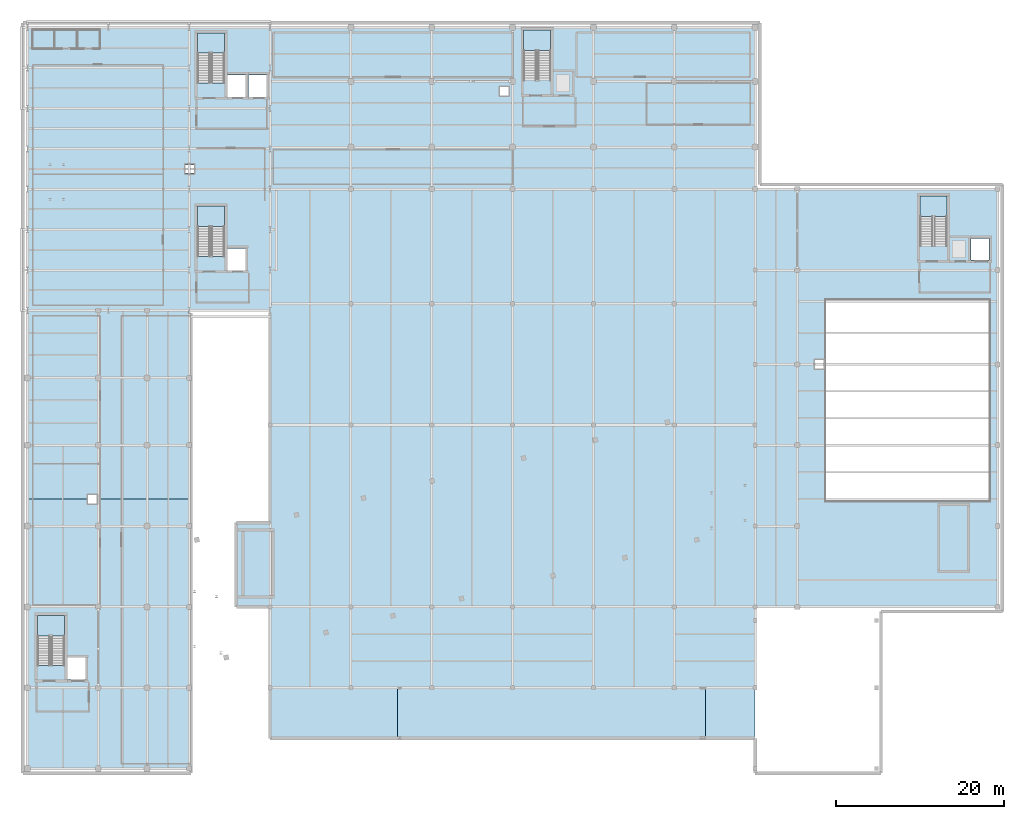
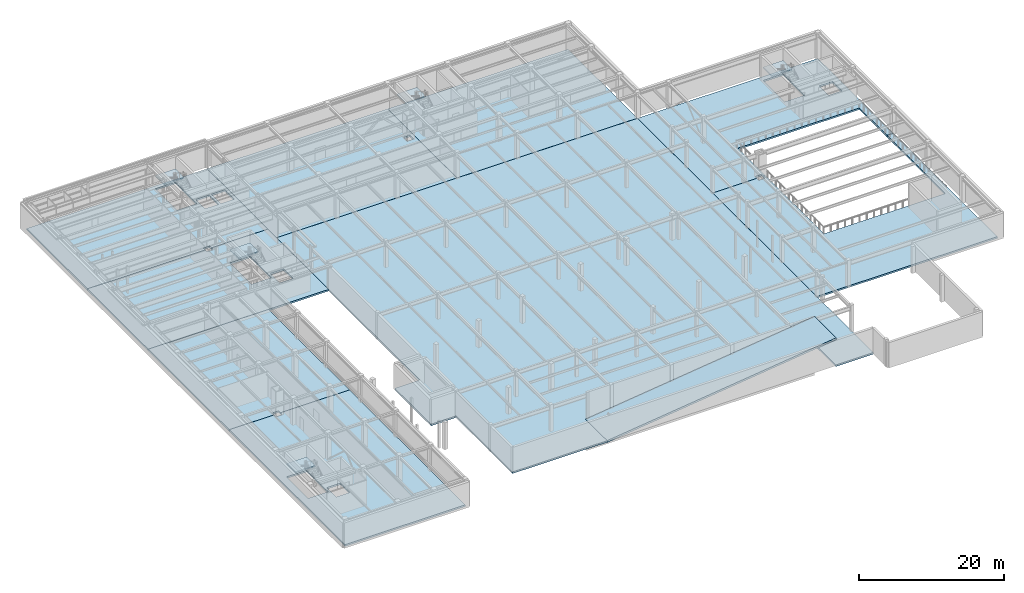
# One storey, part 15 of 32: 15 slabs, 5 elements without a shape of their own.
"""IFC4 building model written with IfcOpenShell, lengths in metres."""

from ifc_helpers import new_model, si_unit, direction, frame, origin, place, context, subcontext, project, spatial, polyline, outline, extrude, material, layer, layer_set, type_object, element, aggregate, save


model = new_model("IFC4")

# Units and contexts
model_context = context("Model", 3, precision=1e-05, world=origin(), true_north=direction((0.0, 1.0)))
body_context = subcontext(model_context, "Body", "Model", "MODEL_VIEW")
ifc_project = project(units=[si_unit("LENGTHUNIT", "METRE"), si_unit("AREAUNIT", "SQUARE_METRE"), si_unit("VOLUMEUNIT", "CUBIC_METRE"), si_unit("PLANEANGLEUNIT", "RADIAN"), si_unit("MASSUNIT", "GRAM", prefix="KILO")], contexts=[model_context])

# Site, building, storey
site_placement = place(None, origin())
site = spatial("IfcSite", under=ifc_project, at=site_placement, CompositionType="ELEMENT")
building_placement = place(site_placement, origin())
building = spatial("IfcBuilding", under=site, at=building_placement, Name="Nordkorset Police Headquarters", CompositionType="ELEMENT")
storey_placement = place(building_placement, frame((0.0, 0.0, -4.550048828125)))
storey = spatial("IfcBuildingStorey", under=building, at=storey_placement, Name="B01", CompositionType="ELEMENT", Elevation=-4.550048828125)

# Stair, slab
ifc_material_1 = material(Name="Concrete C35/45", Category="concrete")
stair_type = type_object("IfcStairType", Name="ST-45", PredefinedType="HALF_TURN_STAIR", material=ifc_material_1)
stair_1_placement = place(storey_placement, origin())
stair_1 = element("IfcStair", 1, at=stair_1_placement, inside=storey, type_object=stair_type, Name="B01 Protected Escape Stair ST-01", PredefinedType="HALF_TURN_STAIR")
ifc_material_2 = material(Name="Concrete C35/45", Category="concrete")
ifc_layer_1 = layer(ifc_material_2, 0.199951171875, Name="Concrete C35/45")
ifc_layer_set_1 = layer_set([ifc_layer_1], Name="Concrete C35/45")
slab_type_1 = type_object("IfcSlabType", Name="Slab_StairLanding_200", PredefinedType="LANDING", material=ifc_layer_set_1)
slab_1_placement = place(storey_placement, frame((0.0, 0.0, 2.074951171875)))
slab_1 = element("IfcSlab", 2, at=slab_1_placement, type_object=slab_type_1, Name="ST-01 landing 1", PredefinedType="LANDING", context=body_context, shape_type="SweptSolid", body=[
    extrude(outline(polyline([(23.375, 113.764892578125), (23.375, 116.175048828125), (20.175048828125, 116.175048828125), (20.175048828125, 113.764892578125), (23.375, 113.764892578125)])), origin(), (0.0, 0.0, 1.0), 0.2001953125),
])
aggregate(stair_1, [slab_1])

stair_2_placement = place(storey_placement, origin())
stair_2 = element("IfcStair", 3, at=stair_2_placement, inside=storey, type_object=stair_type, Name="B01 Protected Escape Stair ST-03", PredefinedType="HALF_TURN_STAIR")
slab_2_placement = place(storey_placement, frame((0.0, 0.0, 2.074951171875)))
slab_2 = element("IfcSlab", 4, at=slab_2_placement, type_object=slab_type_1, Name="ST-03 landing 1", PredefinedType="LANDING", context=body_context, shape_type="SweptSolid", body=[
    extrude(outline(polyline([(23.375, 93.1650390625), (23.375, 95.574951171875), (20.175048828125, 95.574951171875), (20.175048828125, 93.1650390625), (23.375, 93.1650390625)])), origin(), (0.0, 0.0, 1.0), 0.2001953125),
])
aggregate(stair_2, [slab_2])

stair_3_placement = place(storey_placement, origin())
stair_3 = element("IfcStair", 5, at=stair_3_placement, inside=storey, type_object=stair_type, Name="B01 Protected Escape Stair ST-02", PredefinedType="HALF_TURN_STAIR")
slab_3_placement = place(storey_placement, frame((0.0, 0.0, 2.074951171875)))
slab_3 = element("IfcSlab", 6, at=slab_3_placement, type_object=slab_type_1, Name="ST-02 landing 1", PredefinedType="LANDING", context=body_context, shape_type="SweptSolid", body=[
    extrude(outline(polyline([(62.125, 114.06494140625), (62.125, 116.47509765625), (58.925048828125, 116.47509765625), (58.925048828125, 114.06494140625), (62.125, 114.06494140625)])), origin(), (0.0, 0.0, 1.0), 0.2001953125),
])
aggregate(stair_3, [slab_3])

stair_4_placement = place(storey_placement, origin())
stair_4 = element("IfcStair", 7, at=stair_4_placement, inside=storey, type_object=stair_type, Name="B01 Protected Escape Stair ST-04", PredefinedType="HALF_TURN_STAIR")
slab_4_placement = place(storey_placement, frame((0.0, 0.0, 2.074951171875)))
slab_4 = element("IfcSlab", 8, at=slab_4_placement, type_object=slab_type_1, Name="ST-04 landing 1", PredefinedType="LANDING", context=body_context, shape_type="SweptSolid", body=[
    extrude(outline(polyline([(4.375, 44.56494140625), (4.375, 46.97509765625), (1.175048828125, 46.97509765625), (1.175048828125, 44.56494140625), (4.375, 44.56494140625)])), origin(), (0.0, 0.0, 1.0), 0.2001953125),
])
aggregate(stair_4, [slab_4])

stair_5_placement = place(storey_placement, origin())
stair_5 = element("IfcStair", 9, at=stair_5_placement, inside=storey, type_object=stair_type, Name="B01 Protected Escape Stair ST-05", PredefinedType="HALF_TURN_STAIR")
slab_5_placement = place(storey_placement, frame((0.0, 0.0, 2.074951171875)))
slab_5 = element("IfcSlab", 10, at=slab_5_placement, type_object=slab_type_1, Name="ST-05 landing 1", PredefinedType="LANDING", context=body_context, shape_type="SweptSolid", body=[
    extrude(outline(polyline([(109.175048828125, 94.364990234375), (109.175048828125, 96.77490234375), (105.97509765625, 96.77490234375), (105.97509765625, 94.364990234375), (109.175048828125, 94.364990234375)])), origin(), (0.0, 0.0, 1.0), 0.2001953125),
])
aggregate(stair_5, [slab_5])

# Slabs
ifc_material_3 = material(Name="Concrete C35/45", Category="concrete")
ifc_layer_2 = layer(ifc_material_3, 0.280029296875, Name="Concrete C35/45")
ifc_layer_set_2 = layer_set([ifc_layer_2], Name="Concrete C35/45")
slab_type_2 = type_object("IfcSlabType", Name="Slab_SubFloor_280", PredefinedType="FLOOR", material=ifc_layer_set_2)
slab_6_placement = place(storey_placement, frame((0.0, 0.0, -0.280029296875)))
element("IfcSlab", 11, at=slab_6_placement, inside=storey, type_object=slab_type_2, Name="Composite Floor Slab V1 South B01", PredefinedType="FLOOR", context=body_context, shape_type="SweptSolid", body=[
    extrude(outline(polyline([(18.780029296875, 100.0), (18.780029296875, 99.5), (19.780029296875, 99.5), (19.780029296875, 100.0), (28.800048828125, 100.0), (28.800048828125, 83.199951171875), (0.0, 83.199951171875), (0.0, 100.0), (18.780029296875, 100.0)]), holes=[polyline([(20.175048828125, 95.574951171875), (20.175048828125, 89.6279296875), (23.375, 89.6279296875), (23.375, 95.574951171875), (20.175048828125, 95.574951171875)]), polyline([(25.875, 90.574951171875), (23.72509765625, 90.574951171875), (23.72509765625, 87.97509765625), (25.875, 87.97509765625), (25.875, 90.574951171875)])]), origin(), (0.0, 0.0, 1.0), 0.280029296875),
])
slab_7_placement = place(storey_placement, frame((0.0, 0.0, -0.280029296875)))
element("IfcSlab", 12, at=slab_7_placement, inside=storey, type_object=slab_type_2, Name="Composite Floor Slab V1 North B01", PredefinedType="FLOOR", context=body_context, shape_type="SweptSolid", body=[
    extrude(outline(polyline([(28.800048828125, 100.0048828125), (19.780029296875, 100.0048828125), (19.780029296875, 100.5), (18.780029296875, 100.5), (18.780029296875, 100.0048828125), (0.0, 100.0048828125), (0.0, 116.800048828125), (28.800048828125, 116.800048828125), (28.800048828125, 100.0048828125)]), holes=[polyline([(20.175048828125, 110.22802734375), (23.375, 110.22802734375), (23.375, 116.175048828125), (20.175048828125, 116.175048828125), (20.175048828125, 110.22802734375)]), polyline([(23.72509765625, 111.175048828125), (23.72509765625, 108.574951171875), (25.875, 108.574951171875), (25.875, 111.175048828125), (23.72509765625, 111.175048828125)]), polyline([(28.375, 111.175048828125), (26.22509765625, 111.175048828125), (26.22509765625, 108.574951171875), (28.375, 108.574951171875), (28.375, 111.175048828125)])]), origin(), (0.0, 0.0, 1.0), 0.280029296875),
])
slab_8_placement = place(storey_placement, frame((0.0, 0.0, -0.280029296875)))
element("IfcSlab", 13, at=slab_8_placement, inside=storey, type_object=slab_type_2, Name="Composite Floor Slab V2 West B01", PredefinedType="FLOOR", context=body_context, shape_type="SweptSolid", body=[
    extrude(outline(polyline([(28.802001953125, 116.800048828125), (57.60009765625, 116.800048828125), (57.60009765625, 97.60009765625), (28.802001953125, 97.60009765625), (28.802001953125, 116.800048828125)]), holes=[polyline([(57.10009765625, 109.75), (56.10009765625, 109.75), (56.10009765625, 108.75), (57.10009765625, 108.75), (57.10009765625, 109.75)])]), origin(), (0.0, 0.0, 1.0), 0.280029296875),
])
slab_9_placement = place(storey_placement, frame((0.0, 0.0, -0.280029296875)))
element("IfcSlab", 14, at=slab_9_placement, inside=storey, type_object=slab_type_2, Name="Composite Floor Slab V2 East B01", PredefinedType="FLOOR", context=body_context, shape_type="SweptSolid", body=[
    extrude(outline(polyline([(57.60205078125, 97.60009765625), (86.39990234375, 97.60009765625), (86.39990234375, 116.800048828125), (57.60205078125, 116.800048828125), (57.60205078125, 97.60009765625)])), origin(), (0.0, 0.0, 1.0), 0.280029296875),
])
slab_10_placement = place(storey_placement, frame((0.0, 0.0, -0.280029296875)))
element("IfcSlab", 15, at=slab_10_placement, inside=storey, type_object=slab_type_2, Name="Composite Floor Slab V3 South B01", PredefinedType="FLOOR", context=body_context, shape_type="SweptSolid", body=[
    extrude(outline(polyline([(7.199951171875, 60.800048828125), (7.199951171875, 60.300048828125), (8.199951171875, 60.300048828125), (8.199951171875, 60.800048828125), (19.199951171875, 60.800048828125), (19.199951171875, 28.800048828125), (0.0, 28.800048828125), (0.0, 60.800048828125), (7.199951171875, 60.800048828125)]), holes=[polyline([(1.175048828125, 46.97509765625), (1.175048828125, 41.028076171875), (4.375, 41.028076171875), (4.375, 46.97509765625), (1.175048828125, 46.97509765625)]), polyline([(6.875, 41.97509765625), (4.72509765625, 41.97509765625), (4.72509765625, 39.375), (6.875, 39.375), (6.875, 41.97509765625)])]), origin(), (0.0, 0.0, 1.0), 0.280029296875),
])
slab_11_placement = place(storey_placement, frame((0.0, 0.0, -0.280029296875)))
element("IfcSlab", 16, at=slab_11_placement, inside=storey, type_object=slab_type_2, Name="Composite Floor Slab V3 North B01", PredefinedType="FLOOR", context=body_context, shape_type="SweptSolid", body=[
    extrude(outline(polyline([(0.0, 60.802001953125), (7.199951171875, 60.802001953125), (7.199951171875, 61.300048828125), (8.199951171875, 61.300048828125), (8.199951171875, 60.802001953125), (19.199951171875, 60.802001953125), (19.199951171875, 83.197998046875), (0.0, 83.197998046875), (0.0, 60.802001953125)])), origin(), (0.0, 0.0, 1.0), 0.280029296875),
])
slab_12_placement = place(storey_placement, frame((0.0, 0.0, -0.280029296875)))
element("IfcSlab", 17, at=slab_12_placement, inside=storey, type_object=slab_type_2, Name="Composite Floor Slab V5 South B01", PredefinedType="FLOOR", context=body_context, shape_type="SweptSolid", body=[
    extrude(outline(polyline([(115.199951171875, 76.800048828125), (115.199951171875, 48.0), (86.405029296875, 48.0), (86.405029296875, 76.800048828125), (93.5, 76.800048828125), (93.5, 76.300048828125), (94.5, 76.300048828125), (94.5, 76.800048828125), (94.800048828125, 76.800048828125), (94.800048828125, 60.60009765625), (114.199951171875, 60.60009765625), (114.199951171875, 76.800048828125), (115.199951171875, 76.800048828125)])), origin(), (0.0, 0.0, 1.0), 0.280029296875),
])
slab_13_placement = place(storey_placement, frame((0.0, 0.0, -0.280029296875)))
element("IfcSlab", 18, at=slab_13_placement, inside=storey, type_object=slab_type_2, Name="Composite Floor Slab V5 North B01", PredefinedType="FLOOR", context=body_context, shape_type="SweptSolid", body=[
    extrude(outline(polyline([(93.5, 77.300048828125), (93.5, 76.802001953125), (86.405029296875, 76.802001953125), (86.405029296875, 97.60009765625), (115.199951171875, 97.60009765625), (115.199951171875, 76.802001953125), (114.199951171875, 76.802001953125), (114.199951171875, 84.39990234375), (94.800048828125, 84.39990234375), (94.800048828125, 76.802001953125), (94.5, 76.802001953125), (94.5, 77.300048828125), (93.5, 77.300048828125)]), holes=[polyline([(105.97509765625, 96.77490234375), (105.97509765625, 90.827880859375), (109.175048828125, 90.827880859375), (109.175048828125, 96.77490234375), (105.97509765625, 96.77490234375)]), polyline([(114.175048828125, 91.77490234375), (112.02490234375, 91.77490234375), (112.02490234375, 89.175048828125), (114.175048828125, 89.175048828125), (114.175048828125, 91.77490234375)])]), origin(), (0.0, 0.0, 1.0), 0.280029296875),
])
slab_14_placement = place(storey_placement, frame((0.0, 0.0, -0.280029296875)))
element("IfcSlab", 19, at=slab_14_placement, inside=storey, type_object=slab_type_2, Name="Subterranean Fleet Car Park Slab B01", PredefinedType="FLOOR", context=body_context, shape_type="SweptSolid", body=[
    extrude(outline(polyline([(28.802001953125, 32.39990234375), (28.802001953125, 48.0), (24.800048828125, 48.0), (24.800048828125, 58.0), (28.802001953125, 58.0), (28.802001953125, 97.594970703125), (86.39990234375, 97.594970703125), (86.39990234375, 32.39990234375), (80.39990234375, 32.39990234375), (80.39990234375, 38.39990234375), (44.0, 38.39990234375), (44.0, 32.39990234375), (28.802001953125, 32.39990234375)])), origin(), (0.0, 0.0, 1.0), 0.280029296875),
])
ifc_material_4 = material(Name="Concrete C35/45", Category="concrete")
ifc_layer_3 = layer(ifc_material_4, 0.320068359375, Name="Concrete C35/45")
ifc_layer_set_3 = layer_set([ifc_layer_3], Name="Concrete C35/45")
slab_type_3 = type_object("IfcSlabType", Name="Slab_VehRamp_320", PredefinedType="FLOOR", material=ifc_layer_set_3)
slab_15_placement = place(storey_placement, frame((43.919921875, 32.39990234375, 0.0), z_axis=(-0.123501320399, 0.0, 0.992344407885), x_axis=(0.992344407885, 0.0, 0.123501320399)))
element("IfcSlab", 20, at=slab_15_placement, inside=storey, type_object=slab_type_3, Name="Operational Fleet Vehicle Ramp Structural Slab", PredefinedType="FLOOR", context=body_context, shape_type="SweptSolid", body=[
    extrude(outline(polyline([(0.0, 0.0), (36.842106735592026, 0.0), (36.842106735592026, 6.0), (0.0, 6.0), (0.0, 0.0)])), origin(), (0.0, 0.0, -1.0), 0.320068359375),
])

save(model, "model.ifc")
